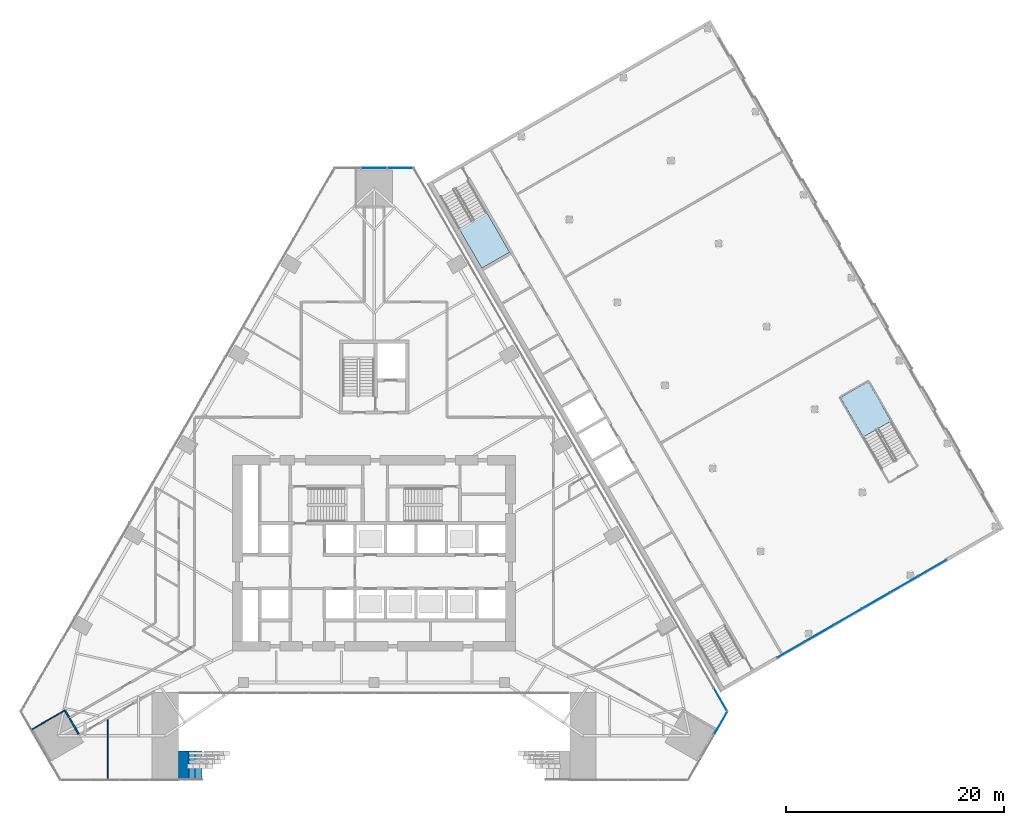
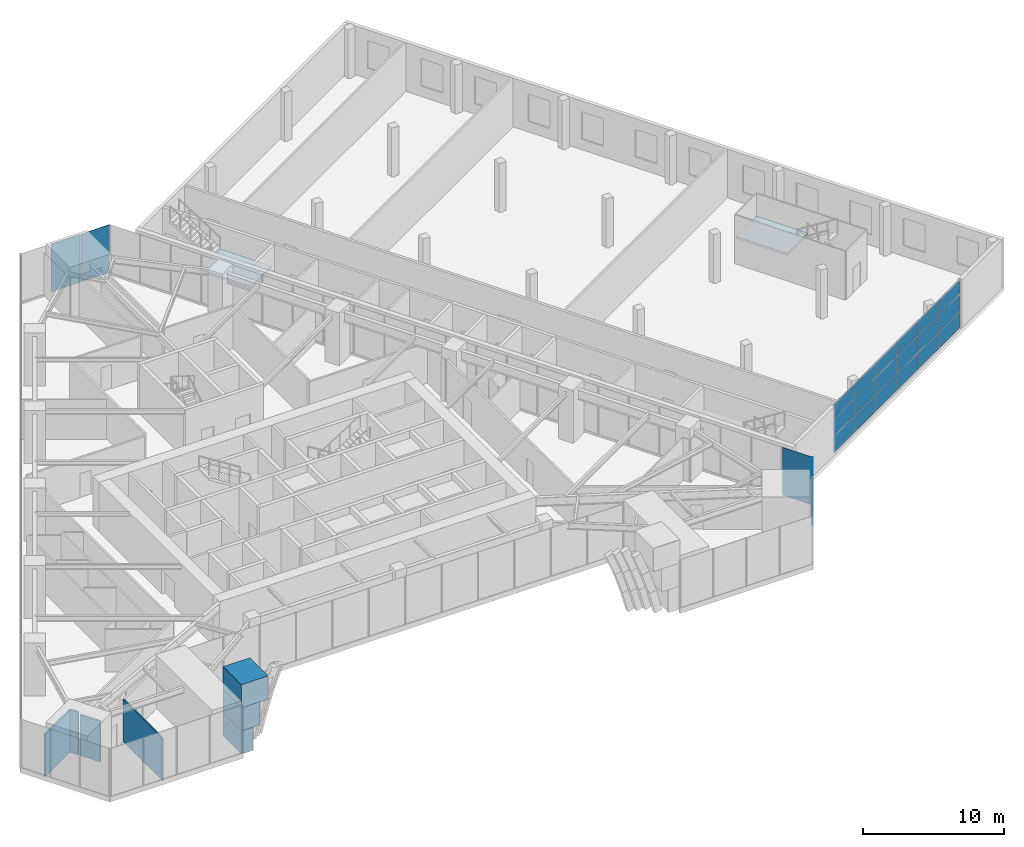
# One storey, part 16 of 29: 22 plates, 7 walls, 2 slabs, 6 elements without a shape of their own.
"""IFC4 building model written with IfcOpenShell, lengths in metres."""

import ifcopenshell
import ifcopenshell.guid

model = None  # the IFC model being written
_history = None  # IfcOwnerHistory: only IFC2X3 demands one
_inside = {}  # id of a spatial element -> (the spatial element, [elements in it])
_under = {}  # id of a project, library or spatial element -> (it, [spatial elements below it])
_declared = {}  # id of a project -> (the project, [libraries it declares])
_typed = {}  # id of a type object -> (the type object, [elements of that type])
_made_of = {}  # id of a material, layer set ... -> (it, [elements and type objects made of it])


def new_model(schema):
    """Start an empty IFC model of exactly this schema.

    Asked for "IFC4X3", IfcOpenShell would pick the latest addendum, in which some entities
    have other attributes; the version numbers below select the first issue.
    IFC2X3 requires an IfcOwnerHistory on every rooted entity: one is made here for all.
    """
    global model, _history
    if schema == "IFC4X3":
        model = ifcopenshell.file(schema_version=(4, 3, 0, 0))
    else:
        model = ifcopenshell.file(schema=schema)
    _inside.clear()
    _under.clear()
    _declared.clear()
    _typed.clear()
    _made_of.clear()
    _history = None
    if model.schema == "IFC2X3":
        org = make("IfcOrganization", Name="unknown")
        user = make(
            "IfcPersonAndOrganization",
            ThePerson=make("IfcPerson", FamilyName="unknown"),
            TheOrganization=org,
        )
        app = make(
            "IfcApplication",
            ApplicationDeveloper=org,
            Version="unknown",
            ApplicationFullName="unknown",
            ApplicationIdentifier="unknown",
        )
        _history = make(
            "IfcOwnerHistory",
            OwningUser=user,
            OwningApplication=app,
            ChangeAction="ADDED",
            CreationDate=0,
        )
    return model


def make(cls, **values):
    """One entity of the class cls with the attributes given. An attribute that is None is left unset."""
    return model.create_entity(
        cls, **{name: value for name, value in values.items() if value is not None}
    )


def rooted(cls, **values):
    """An entity with a GlobalId (a new one), such as an element, a storey or a relation."""
    return make(cls, GlobalId=ifcopenshell.guid.new(), OwnerHistory=_history, **values)


def si_unit(unit_type, name, prefix=None):
    """IfcSIUnit, for example si_unit("LENGTHUNIT", "METRE", prefix="MILLI")."""
    return make("IfcSIUnit", UnitType=unit_type, Prefix=prefix, Name=name)


def assignment(units):
    """IfcUnitAssignment: the units of a project."""
    return None if units is None else make("IfcUnitAssignment", Units=units)


def point(xyz):
    """IfcCartesianPoint."""
    return None if xyz is None else make("IfcCartesianPoint", Coordinates=xyz)


def direction(xyz):
    """IfcDirection."""
    return None if xyz is None else make("IfcDirection", DirectionRatios=xyz)


def frame(location, z_axis=None, x_axis=None):
    """IfcAxis2Placement3D, a coordinate frame: its origin and axes. An axis left out is left unset."""
    return make(
        "IfcAxis2Placement3D",
        Location=point(location),
        Axis=direction(z_axis),
        RefDirection=direction(x_axis),
    )


def frame_2d(location, x_axis=None):
    """IfcAxis2Placement2D, a coordinate frame in the plane: its origin and x axis."""
    return make(
        "IfcAxis2Placement2D", Location=point(location), RefDirection=direction(x_axis)
    )


def origin():
    """The frame at (0, 0, 0) with its axes left unset."""
    return frame((0.0, 0.0, 0.0))


def origin_2d():
    """The frame at (0, 0) in the plane with its x axis left unset."""
    return frame_2d((0.0, 0.0))


def place(relative_to, where):
    """IfcLocalPlacement: puts the frame where relative to a parent placement (None: the world)."""
    return make(
        "IfcLocalPlacement", PlacementRelTo=relative_to, RelativePlacement=where
    )


def context(
    kind, dimensions, precision=None, world=None, true_north=None, identifier=None
):
    """IfcGeometricRepresentationContext, for example the 3D "Model" context."""
    return make(
        "IfcGeometricRepresentationContext",
        ContextIdentifier=identifier,
        ContextType=kind,
        CoordinateSpaceDimension=dimensions,
        Precision=precision,
        WorldCoordinateSystem=world,
        TrueNorth=true_north,
    )


def subcontext(parent, identifier, kind, view, scale=None):
    """IfcGeometricRepresentationSubContext, for example "Body" below "Model"."""
    return make(
        "IfcGeometricRepresentationSubContext",
        ContextIdentifier=identifier,
        ContextType=kind,
        ParentContext=parent,
        TargetScale=scale,
        TargetView=view,
    )


def project(units=None, contexts=None):
    """IfcProject with its units and contexts."""
    return rooted(
        "IfcProject",
        Name="project",
        RepresentationContexts=contexts,
        UnitsInContext=assignment(units),
    )


def spatial(cls, under=None, at=None, **own):
    """A site, building, storey or space (cls), placed at a placement, below another one or the project."""
    s = rooted(cls, ObjectPlacement=at, **own)
    if under is not None:
        _under.setdefault(under.id(), (under, []))[1].append(s)
    return s


def polyline(points):
    """IfcPolyline through the points."""
    return make("IfcPolyline", Points=[point(p) for p in points])


def profile(cls, at=None, kind="AREA", **sizes):
    """A parametric profile (cls). Its sizes go by their IFC names, for example OverallWidth=200.0."""
    return make(cls, ProfileType=kind, Position=at, **sizes)


def rectangle(**sizes):
    """IfcRectangleProfileDef."""
    return profile("IfcRectangleProfileDef", **sizes)


def outline(outer, holes=None, kind="AREA"):
    """IfcArbitraryClosedProfileDef: a profile drawn as a closed curve; with holes, ...WithVoids."""
    if holes is None:
        return make("IfcArbitraryClosedProfileDef", ProfileType=kind, OuterCurve=outer)
    return make(
        "IfcArbitraryProfileDefWithVoids",
        ProfileType=kind,
        OuterCurve=outer,
        InnerCurves=holes,
    )


def extrude(swept, where, along, depth):
    """IfcExtrudedAreaSolid: the profile swept, set in the frame where, extruded along a direction by depth."""
    return make(
        "IfcExtrudedAreaSolid",
        SweptArea=swept,
        Position=where,
        ExtrudedDirection=direction(along),
        Depth=depth,
    )


def shape(context_of_items, identifier, shape_type, items):
    """IfcShapeRepresentation: the items that make up one representation, for example the "Body"."""
    return make(
        "IfcShapeRepresentation",
        ContextOfItems=context_of_items,
        RepresentationIdentifier=identifier,
        RepresentationType=shape_type,
        Items=items,
    )


def material(Name=None, Category=None):
    """IfcMaterial."""
    return make("IfcMaterial", Name=Name, Category=Category)


def layer(
    of_material, thickness, ventilated=None, Name=None, Category=None, Priority=None
):
    """IfcMaterialLayer: one layer of a wall or slab, of a material (None: an air gap)."""
    return make(
        "IfcMaterialLayer",
        Material=of_material,
        LayerThickness=thickness,
        IsVentilated=ventilated,
        Name=Name,
        Category=Category,
        Priority=Priority,
    )


def layer_set(layers, Name=None):
    """IfcMaterialLayerSet."""
    return make("IfcMaterialLayerSet", MaterialLayers=layers, LayerSetName=Name)


def made_of(thing, what):
    """Note that an element or type object is made of a material, layer set ...; save() writes the relation."""
    if what is not None:
        _made_of.setdefault(what.id(), (what, []))[1].append(thing)
    return thing


def type_object(cls, material=None, **own):
    """A type object (cls), such as IfcWallType, which elements share."""
    return made_of(rooted(cls, **own), material)


def element(
    cls,
    number,
    at=None,
    inside=None,
    cuts=None,
    type_object=None,
    material=None,
    context=None,
    identifier="Body",
    shape_type=None,
    held_by="IfcProductDefinitionShape",
    body=None,
    shapes=None,
    **own,
):
    """One element of the class cls, such as IfcWall. Its Tag is "e" and its number.

    at: its placement. inside: the storey or other place that contains it. cuts: it is an
    opening in that element (IfcRelVoidsElement). A single representation is given by context,
    identifier, shape_type and body (its items); several are given by shapes. held_by: the class
    of the entity that holds the representations. save() writes the other relations.
    """
    e = rooted(cls, Tag="e%d" % number, ObjectPlacement=at, **own)
    if body is not None:
        shapes = [shape(context, identifier, shape_type, body)]
    if shapes is not None:
        e.Representation = make(held_by, Representations=shapes)
    if inside is not None:
        _inside.setdefault(inside.id(), (inside, []))[1].append(e)
    if cuts is not None:
        rooted(
            "IfcRelVoidsElement", RelatingBuildingElement=cuts, RelatedOpeningElement=e
        )
    if type_object is not None:
        _typed.setdefault(type_object.id(), (type_object, []))[1].append(e)
    return made_of(e, material)


def aggregate(whole, parts):
    """IfcRelAggregates: a whole, such as a stair, and the parts it consists of."""
    return rooted("IfcRelAggregates", RelatingObject=whole, RelatedObjects=parts)


def save(model, path):
    """Write the relations noted so far, then the file.

    IfcRelAggregates (storeys below a building ...), IfcRelContainedInSpatialStructure (elements
    in a storey), IfcRelDefinesByType, IfcRelAssociatesMaterial and IfcRelDeclares: one each for
    every whole, place, type object, material and project.
    """
    for whole, parts in _under.values():
        aggregate(whole, parts)
    for where, things in _inside.values():
        rooted(
            "IfcRelContainedInSpatialStructure",
            RelatedElements=things,
            RelatingStructure=where,
        )
    for kind, things in _typed.values():
        rooted("IfcRelDefinesByType", RelatedObjects=things, RelatingType=kind)
    for what, things in _made_of.values():
        rooted("IfcRelAssociatesMaterial", RelatedObjects=things, RelatingMaterial=what)
    for by, libraries in _declared.values():
        rooted("IfcRelDeclares", RelatingContext=by, RelatedDefinitions=libraries)
    model.write(path)


model = new_model("IFC4")

# Units and contexts
model_context = context("Model", 3, precision=1e-05, world=origin(), true_north=direction((0.0, 1.0)))
body_context = subcontext(model_context, "Body", "Model", "MODEL_VIEW")
ifc_project = project(units=[si_unit("LENGTHUNIT", "METRE"), si_unit("AREAUNIT", "SQUARE_METRE"), si_unit("VOLUMEUNIT", "CUBIC_METRE"), si_unit("PLANEANGLEUNIT", "RADIAN"), si_unit("MASSUNIT", "GRAM", prefix="KILO")], contexts=[model_context])

# Site, building, storey
site_placement = place(None, origin())
site = spatial("IfcSite", under=ifc_project, at=site_placement, CompositionType="ELEMENT")
building_placement = place(site_placement, origin())
building = spatial("IfcBuilding", under=site, at=building_placement, Name="Firuza Gate Tower and Library", CompositionType="ELEMENT")
storey_placement = place(building_placement, frame((0.0, 0.0, 8.0)))
storey = spatial("IfcBuildingStorey", under=building, at=storey_placement, Name="L01", CompositionType="ELEMENT", Elevation=8.0)

# Curtain wall, plate
ifc_material_1 = material(Name="Aluminium 6063-T6", Category="aluminium")
ifc_layer_1 = layer(ifc_material_1, 0.14990234375)
ifc_layer_set_1 = layer_set([ifc_layer_1], Name="Stick curtain wall, podium")
curtain_wall_type_1 = type_object("IfcCurtainWallType", Name="Stick curtain wall, podium", PredefinedType="NOTDEFINED", material=ifc_layer_set_1)
placement_1 = place(storey_placement, origin())
curtain_wall_1 = element("IfcCurtainWall", 1, at=placement_1, inside=storey, type_object=curtain_wall_type_1, Name="CW5 L01 SE", PredefinedType="NOTDEFINED")
ifc_material_2 = material(Name="Fritted glass", Category="glass")
ifc_layer_2 = layer(ifc_material_2, 0.030029296875)
ifc_layer_set_2 = layer_set([ifc_layer_2], Name="Clear glass unit, podium")
plate_type_1 = type_object("IfcPlateType", Name="Clear glass unit, podium", PredefinedType="CURTAIN_PANEL", material=ifc_layer_set_2)
plate_1_placement = place(storey_placement, frame((106.30517578125, 58.37451171875, 0.14990234375), z_axis=(0.866047116916, -0.499962389866, 0.0), x_axis=(0.499962389866, 0.866047116916, 0.0)))
plate_1 = element("IfcPlate", 2, at=plate_1_placement, type_object=plate_type_1, Name="Glass unit", PredefinedType="CURTAIN_PANEL", context=body_context, shape_type="SweptSolid", body=[
    extrude(outline(polyline([(0.0, 0.0), (2.3488094905771977, 0.0), (2.3488094905771977, 4.150146484375001), (0.0, 4.150146484375001), (0.0, 0.0)])), origin(), (0.0, 0.0, -1.0), 0.030029296875),
])
aggregate(curtain_wall_1, [plate_1])

curtain_wall_2 = element("IfcCurtainWall", 3, at=placement_1, inside=storey, type_object=curtain_wall_type_1, Name="CW5 L01 E", PredefinedType="NOTDEFINED")
plate_2_placement = place(storey_placement, frame((107.4794921875, 60.492919921875, 0.14990234375), z_axis=(0.866056658381, 0.499945861543, 0.0), x_axis=(-0.499945861543, 0.866056658381, 0.0)))
plate_2 = element("IfcPlate", 4, at=plate_2_placement, type_object=plate_type_1, Name="Glass unit", PredefinedType="CURTAIN_PANEL", context=body_context, shape_type="SweptSolid", body=[
    extrude(outline(polyline([(0.0, 0.0), (2.4279972710515545, 0.0), (2.4279972710515545, 4.150146484375), (0.0, 4.150146484375), (0.0, 0.0)])), origin(), (0.0, 0.0, -1.0), 0.030029296875),
])
aggregate(curtain_wall_2, [plate_2])

# Curtain wall, plates
curtain_wall_3 = element("IfcCurtainWall", 5, at=placement_1, inside=storey, type_object=curtain_wall_type_1, Name="CW5 L01 N", PredefinedType="NOTDEFINED")
plate_3_placement = place(storey_placement, frame((78.603271484375, 110.423828125, 0.14990234375), z_axis=(0.0, 1.0, 0.0), x_axis=(-1.0, 0.0, 0.0)))
plate_3 = element("IfcPlate", 6, at=plate_3_placement, type_object=plate_type_1, Name="Glass unit", PredefinedType="CURTAIN_PANEL", context=body_context, shape_type="SweptSolid", body=[
    extrude(outline(polyline([(0.0, 0.0), (2.348876953125, 0.0), (2.348876953125, 4.150146484375), (0.0, 4.150146484375), (0.0, 0.0)])), origin(), (0.0, 0.0, -1.0), 0.030029296875),
])
plate_4_placement = place(storey_placement, frame((76.17431640625, 110.423828125, 0.14990234375), z_axis=(0.0, 1.0, 0.0), x_axis=(-1.0, 0.0, 0.0)))
plate_4 = element("IfcPlate", 7, at=plate_4_placement, type_object=plate_type_1, Name="Glass unit", PredefinedType="CURTAIN_PANEL", context=body_context, shape_type="SweptSolid", body=[
    extrude(outline(polyline([(0.0, 0.0), (2.3486328125, 0.0), (2.3486328125, 4.150146484375), (0.0, 4.150146484375), (0.0, 0.0)])), origin(), (0.0, 0.0, -1.0), 0.030029296875),
])
aggregate(curtain_wall_3, [plate_3, plate_4])

ifc_material_3 = material(Name="Aluminium", Category="aluminium")
curtain_wall_type_2 = type_object("IfcCurtainWallType", Name="LIB CURTAIN WALL", PredefinedType="NOTDEFINED", material=ifc_material_3)
curtain_wall_4 = element("IfcCurtainWall", 8, at=placement_1, inside=storey, type_object=curtain_wall_type_2, Name="L01 south curtain wall", PredefinedType="NOTDEFINED")
ifc_material_4 = material(Name="Ceramic-fritted glass", Category="glass")
ifc_layer_3 = layer(ifc_material_4, 0.028076171875)
ifc_layer_set_3 = layer_set([ifc_layer_3], Name="LIB CW PANEL 28")
plate_type_2 = type_object("IfcPlateType", Name="LIB CW PANEL 28", PredefinedType="CURTAIN_PANEL", material=ifc_layer_set_3)
plate_5_placement = place(storey_placement, frame((113.3662109375, 66.14697265625, 0.06005859375), z_axis=(0.0, 0.0, 1.0), x_axis=(0.866024608393, 0.500001377656, 0.0)))
plate_5 = element("IfcPlate", 9, at=plate_5_placement, type_object=plate_type_2, Name="LIB-CW panel 1.1", PredefinedType="CURTAIN_PANEL", context=body_context, shape_type="SweptSolid", body=[
    extrude(rectangle(XDim=2.909912109375, YDim=0.028076171875, at=origin_2d()), origin(), (0.0, 0.0, 1.0), 1.409912109375),
])
plate_6_placement = place(storey_placement, frame((113.3662109375, 66.14697265625, 1.530029296875), z_axis=(0.0, 0.0, 1.0), x_axis=(0.866024608393, 0.500001377656, 0.0)))
plate_6 = element("IfcPlate", 10, at=plate_6_placement, type_object=plate_type_2, Name="LIB-CW panel 1.2", PredefinedType="CURTAIN_PANEL", context=body_context, shape_type="SweptSolid", body=[
    extrude(rectangle(XDim=2.909912109375, YDim=0.028076171875, at=origin_2d()), origin(), (0.0, 0.0, 1.0), 1.43994140625),
])
plate_7_placement = place(storey_placement, frame((113.3662109375, 66.14697265625, 3.030029296875), z_axis=(0.0, 0.0, 1.0), x_axis=(0.866024608393, 0.500001377656, 0.0)))
plate_7 = element("IfcPlate", 11, at=plate_7_placement, type_object=plate_type_2, Name="LIB-CW panel 1.3", PredefinedType="CURTAIN_PANEL", context=body_context, shape_type="SweptSolid", body=[
    extrude(rectangle(XDim=2.909912109375, YDim=0.028076171875, at=origin_2d()), origin(), (0.0, 0.0, 1.0), 1.14990234375),
])
plate_8_placement = place(storey_placement, frame((115.951416015625, 67.639404296875, 0.06005859375), z_axis=(0.0, 0.0, 1.0), x_axis=(0.866024608393, 0.500001377656, 0.0)))
plate_8 = element("IfcPlate", 12, at=plate_8_placement, type_object=plate_type_2, Name="LIB-CW panel 2.1", PredefinedType="CURTAIN_PANEL", context=body_context, shape_type="SweptSolid", body=[
    extrude(rectangle(XDim=2.93994140625, YDim=0.028076171875, at=origin_2d()), origin(), (0.0, 0.0, 1.0), 1.409912109375),
])
plate_9_placement = place(storey_placement, frame((115.951416015625, 67.639404296875, 1.530029296875), z_axis=(0.0, 0.0, 1.0), x_axis=(0.866024608393, 0.500001377656, 0.0)))
plate_9 = element("IfcPlate", 13, at=plate_9_placement, type_object=plate_type_2, Name="LIB-CW panel 2.2", PredefinedType="CURTAIN_PANEL", context=body_context, shape_type="SweptSolid", body=[
    extrude(rectangle(XDim=2.93994140625, YDim=0.028076171875, at=origin_2d()), origin(), (0.0, 0.0, 1.0), 1.43994140625),
])
plate_10_placement = place(storey_placement, frame((115.951416015625, 67.639404296875, 3.030029296875), z_axis=(0.0, 0.0, 1.0), x_axis=(0.866024608393, 0.500001377656, 0.0)))
plate_10 = element("IfcPlate", 14, at=plate_10_placement, type_object=plate_type_2, Name="LIB-CW panel 2.3", PredefinedType="CURTAIN_PANEL", context=body_context, shape_type="SweptSolid", body=[
    extrude(rectangle(XDim=2.93994140625, YDim=0.028076171875, at=origin_2d()), origin(), (0.0, 0.0, 1.0), 1.14990234375),
])
plate_11_placement = place(storey_placement, frame((118.54931640625, 69.139404296875, 0.06005859375), z_axis=(0.0, 0.0, 1.0), x_axis=(0.866024608393, 0.500001377656, 0.0)))
plate_11 = element("IfcPlate", 15, at=plate_11_placement, type_object=plate_type_2, Name="LIB-CW panel 3.1", PredefinedType="CURTAIN_PANEL", context=body_context, shape_type="SweptSolid", body=[
    extrude(rectangle(XDim=2.93994140625, YDim=0.028076171875, at=origin_2d()), origin(), (0.0, 0.0, 1.0), 1.409912109375),
])
plate_12_placement = place(storey_placement, frame((118.54931640625, 69.139404296875, 1.530029296875), z_axis=(0.0, 0.0, 1.0), x_axis=(0.866024608393, 0.500001377656, 0.0)))
plate_12 = element("IfcPlate", 16, at=plate_12_placement, type_object=plate_type_2, Name="LIB-CW panel 3.2", PredefinedType="CURTAIN_PANEL", context=body_context, shape_type="SweptSolid", body=[
    extrude(rectangle(XDim=2.93994140625, YDim=0.028076171875, at=origin_2d()), origin(), (0.0, 0.0, 1.0), 1.43994140625),
])
plate_13_placement = place(storey_placement, frame((118.54931640625, 69.139404296875, 3.030029296875), z_axis=(0.0, 0.0, 1.0), x_axis=(0.866024608393, 0.500001377656, 0.0)))
plate_13 = element("IfcPlate", 17, at=plate_13_placement, type_object=plate_type_2, Name="LIB-CW panel 3.3", PredefinedType="CURTAIN_PANEL", context=body_context, shape_type="SweptSolid", body=[
    extrude(rectangle(XDim=2.93994140625, YDim=0.028076171875, at=origin_2d()), origin(), (0.0, 0.0, 1.0), 1.14990234375),
])
plate_14_placement = place(storey_placement, frame((121.1474609375, 70.639404296875, 0.06005859375), z_axis=(0.0, 0.0, 1.0), x_axis=(0.866024608393, 0.500001377656, 0.0)))
plate_14 = element("IfcPlate", 18, at=plate_14_placement, type_object=plate_type_2, Name="LIB-CW panel 4.1", PredefinedType="CURTAIN_PANEL", context=body_context, shape_type="SweptSolid", body=[
    extrude(rectangle(XDim=2.93994140625, YDim=0.028076171875, at=origin_2d()), origin(), (0.0, 0.0, 1.0), 1.409912109375),
])
plate_15_placement = place(storey_placement, frame((121.1474609375, 70.639404296875, 1.530029296875), z_axis=(0.0, 0.0, 1.0), x_axis=(0.866024608393, 0.500001377656, 0.0)))
plate_15 = element("IfcPlate", 19, at=plate_15_placement, type_object=plate_type_2, Name="LIB-CW panel 4.2", PredefinedType="CURTAIN_PANEL", context=body_context, shape_type="SweptSolid", body=[
    extrude(rectangle(XDim=2.93994140625, YDim=0.028076171875, at=origin_2d()), origin(), (0.0, 0.0, 1.0), 1.43994140625),
])
plate_16_placement = place(storey_placement, frame((121.1474609375, 70.639404296875, 3.030029296875), z_axis=(0.0, 0.0, 1.0), x_axis=(0.866024608393, 0.500001377656, 0.0)))
plate_16 = element("IfcPlate", 20, at=plate_16_placement, type_object=plate_type_2, Name="LIB-CW panel 4.3", PredefinedType="CURTAIN_PANEL", context=body_context, shape_type="SweptSolid", body=[
    extrude(rectangle(XDim=2.93994140625, YDim=0.028076171875, at=origin_2d()), origin(), (0.0, 0.0, 1.0), 1.14990234375),
])
plate_17_placement = place(storey_placement, frame((123.74560546875, 72.139404296875, 0.06005859375), z_axis=(0.0, 0.0, 1.0), x_axis=(0.866024608393, 0.500001377656, 0.0)))
plate_17 = element("IfcPlate", 21, at=plate_17_placement, type_object=plate_type_2, Name="LIB-CW panel 5.1", PredefinedType="CURTAIN_PANEL", context=body_context, shape_type="SweptSolid", body=[
    extrude(rectangle(XDim=2.93994140625, YDim=0.028076171875, at=origin_2d()), origin(), (0.0, 0.0, 1.0), 1.409912109375),
])
plate_18_placement = place(storey_placement, frame((123.74560546875, 72.139404296875, 1.530029296875), z_axis=(0.0, 0.0, 1.0), x_axis=(0.866024608393, 0.500001377656, 0.0)))
plate_18 = element("IfcPlate", 22, at=plate_18_placement, type_object=plate_type_2, Name="LIB-CW panel 5.2", PredefinedType="CURTAIN_PANEL", context=body_context, shape_type="SweptSolid", body=[
    extrude(rectangle(XDim=2.93994140625, YDim=0.028076171875, at=origin_2d()), origin(), (0.0, 0.0, 1.0), 1.43994140625),
])
plate_19_placement = place(storey_placement, frame((123.74560546875, 72.139404296875, 3.030029296875), z_axis=(0.0, 0.0, 1.0), x_axis=(0.866024608393, 0.500001377656, 0.0)))
plate_19 = element("IfcPlate", 23, at=plate_19_placement, type_object=plate_type_2, Name="LIB-CW panel 5.3", PredefinedType="CURTAIN_PANEL", context=body_context, shape_type="SweptSolid", body=[
    extrude(rectangle(XDim=2.93994140625, YDim=0.028076171875, at=origin_2d()), origin(), (0.0, 0.0, 1.0), 1.14990234375),
])
plate_20_placement = place(storey_placement, frame((126.33056640625, 73.632080078125, 0.06005859375), z_axis=(0.0, 0.0, 1.0), x_axis=(0.866024608393, 0.500001377656, 0.0)))
plate_20 = element("IfcPlate", 24, at=plate_20_placement, type_object=plate_type_2, Name="LIB-CW panel 6.1", PredefinedType="CURTAIN_PANEL", context=body_context, shape_type="SweptSolid", body=[
    extrude(rectangle(XDim=2.909912109375, YDim=0.028076171875, at=origin_2d()), origin(), (0.0, 0.0, 1.0), 1.409912109375),
])
plate_21_placement = place(storey_placement, frame((126.33056640625, 73.632080078125, 1.530029296875), z_axis=(0.0, 0.0, 1.0), x_axis=(0.866024608393, 0.500001377656, 0.0)))
plate_21 = element("IfcPlate", 25, at=plate_21_placement, type_object=plate_type_2, Name="LIB-CW panel 6.2", PredefinedType="CURTAIN_PANEL", context=body_context, shape_type="SweptSolid", body=[
    extrude(rectangle(XDim=2.909912109375, YDim=0.028076171875, at=origin_2d()), origin(), (0.0, 0.0, 1.0), 1.43994140625),
])
plate_22_placement = place(storey_placement, frame((126.33056640625, 73.632080078125, 3.030029296875), z_axis=(0.0, 0.0, 1.0), x_axis=(0.866024608393, 0.500001377656, 0.0)))
plate_22 = element("IfcPlate", 26, at=plate_22_placement, type_object=plate_type_2, Name="LIB-CW panel 6.3", PredefinedType="CURTAIN_PANEL", context=body_context, shape_type="SweptSolid", body=[
    extrude(rectangle(XDim=2.909912109375, YDim=0.028076171875, at=origin_2d()), origin(), (0.0, 0.0, 1.0), 1.14990234375),
])
aggregate(curtain_wall_4, [plate_5, plate_6, plate_7, plate_8, plate_9, plate_10, plate_11, plate_12, plate_13, plate_14, plate_15, plate_16, plate_17, plate_18, plate_19, plate_20, plate_21, plate_22])

# Stair, slab
ifc_material_5 = material(Name="Concrete C40/50", Category="concrete")
stair_type = type_object("IfcStairType", Name="LIB STAIR", PredefinedType="HALF_TURN_STAIR", material=ifc_material_5)
stair_1 = element("IfcStair", 27, at=placement_1, inside=storey, type_object=stair_type, Name="L01 Exit stair A", PredefinedType="HALF_TURN_STAIR")
ifc_material_6 = material(Name="Concrete C40/50", Category="concrete")
ifc_layer_4 = layer(ifc_material_6, 0.199951171875)
ifc_layer_set_4 = layer_set([ifc_layer_4], Name="LIB STAIR LANDING")
slab_type = type_object("IfcSlabType", Name="LIB STAIR LANDING", PredefinedType="LANDING", material=ifc_layer_set_4)
placement_2 = place(storey_placement, frame((0.0, 0.0, 2.10009765625)))
slab_1 = element("IfcSlab", 28, at=placement_2, type_object=slab_type, Name="LIB-ST-A landing 1", PredefinedType="LANDING", context=body_context, shape_type="SweptSolid", body=[
    extrude(outline(polyline([(82.80908203125, 104.84326171875), (84.909423828125, 101.20556640625), (87.464111328125, 102.6806640625), (85.364013671875, 106.318359375), (82.80908203125, 104.84326171875)])), origin(), (0.0, 0.0, 1.0), 0.199951171875),
])
aggregate(stair_1, [slab_1])

stair_2 = element("IfcStair", 29, at=placement_1, inside=storey, type_object=stair_type, Name="L01 Feature stair", PredefinedType="HALF_TURN_STAIR")
slab_2 = element("IfcSlab", 30, at=placement_2, type_object=slab_type, Name="LIB-ST-C landing 1", PredefinedType="LANDING", context=body_context, shape_type="SweptSolid", body=[
    extrude(outline(polyline([(122.526611328125, 87.150634765625), (120.426513671875, 90.788330078125), (117.87158203125, 89.3134765625), (119.971923828125, 85.675537109375), (122.526611328125, 87.150634765625)])), origin(), (0.0, 0.0, 1.0), 0.199951171875),
])
aggregate(stair_2, [slab_2])

# Walls
ifc_material_7 = material(Name="Gypsum board partition")
ifc_layer_5 = layer(ifc_material_7, 0.14990234375)
ifc_layer_set_5 = layer_set([ifc_layer_5], Name="Corridor wall 150 double board on steel studs")
wall_type_1 = type_object("IfcWallType", Name="Corridor wall 150 double board on steel studs", PredefinedType="PARTITIONING", material=ifc_layer_set_5)
wall_1_placement = place(storey_placement, frame((47.84326171875, 58.368896484375, 0.0), z_axis=(0.0, 0.0, 1.0), x_axis=(-0.499927431592, 0.866067297121, 0.0)))
element("IfcWall", 31, at=wall_1_placement, inside=storey, type_object=wall_type_1, Name="f:L01:w032", PredefinedType="PARTITIONING", context=body_context, shape_type="SweptSolid", body=[
    extrude(rectangle(XDim=1.649658203125, YDim=0.14990234375, at=frame_2d((0.82470703125, 0.0))), origin(), (0.0, 0.0, 1.0), 3.547119140625),
])
wall_2_placement = place(storey_placement, frame((46.943603515625, 59.927490234375, 0.0), z_axis=(0.0, 0.0, 1.0), x_axis=(-0.500265536072, 0.865872042174, 0.0)))
element("IfcWall", 32, at=wall_2_placement, inside=storey, type_object=wall_type_1, Name="f:L01:w041", PredefinedType="PARTITIONING", context=body_context, shape_type="SweptSolid", body=[
    extrude(rectangle(XDim=0.674560546875, YDim=0.14990234375, at=frame_2d((0.33740234375, 0.0))), origin(), (0.0, 0.0, 1.0), 3.699951171875),
])
ifc_material_8 = material(Name="Gypsum board partition")
ifc_layer_6 = layer(ifc_material_8, 0.10009765625)
ifc_layer_set_6 = layer_set([ifc_layer_6], Name="Partition 100 gypsum board on steel studs")
wall_type_2 = type_object("IfcWallType", Name="Partition 100 gypsum board on steel studs", PredefinedType="PARTITIONING", material=ifc_layer_set_6)
wall_3_placement = place(storey_placement, frame((43.498046875, 58.775390625, 0.0), z_axis=(0.0, 0.0, 1.0), x_axis=(0.866014251095, 0.500019316528, 0.0)))
element("IfcWall", 33, at=wall_3_placement, inside=storey, type_object=wall_type_2, Name="f:L01:w011", PredefinedType="PARTITIONING", context=body_context, shape_type="SweptSolid", body=[
    extrude(rectangle(XDim=3.559326171875, YDim=0.10009765625, at=frame_2d((1.77978515625, 0.0))), origin(), (0.0, 0.0, 1.0), 3.699951171875),
])
wall_4_placement = place(storey_placement, frame((50.52001953125, 54.1552734375, 0.0), z_axis=(0.0, 0.0, 1.0), x_axis=(0.0, 1.0, 0.0)))
element("IfcWall", 34, at=wall_4_placement, inside=storey, type_object=wall_type_2, Name="f:L01:w029", PredefinedType="PARTITIONING", context=body_context, shape_type="SweptSolid", body=[
    extrude(rectangle(XDim=5.555419921875, YDim=0.10009765625, at=frame_2d((2.77783203125, 0.0))), origin(), (0.0, 0.0, 1.0), 3.699951171875),
])
ifc_material_9 = material(Name="Concrete C60/75", Category="concrete")
ifc_layer_7 = layer(ifc_material_9, 2.60009765625)
ifc_layer_set_7 = layer_set([ifc_layer_7], Name="Portal wall 2600 C60/75")
wall_type_3 = type_object("IfcWallType", Name="Portal wall 2600 C60/75", PredefinedType="SOLIDWALL", material=ifc_layer_set_7)
wall_5_placement = place(storey_placement, frame((57.0, 55.515380859375, 0.0), z_axis=(0.0, 0.0, 1.0), x_axis=(1.0, 0.0, 0.0)))
element("IfcWall", 35, at=wall_5_placement, inside=storey, type_object=wall_type_3, Name="Portal wall course 5", PredefinedType="SOLIDWALL", context=body_context, shape_type="SweptSolid", body=[
    extrude(rectangle(XDim=0.962890625, YDim=2.60009765625, at=frame_2d((0.4814453125, 0.0))), origin(), (0.0, 0.0, 1.0), 2.0),
])
wall_6_placement = place(storey_placement, frame((57.0, 55.515380859375, 2.0), z_axis=(0.0, 0.0, 1.0), x_axis=(1.0, 0.0, 0.0)))
element("IfcWall", 36, at=wall_6_placement, inside=storey, type_object=wall_type_3, Name="Portal wall course 6", PredefinedType="SOLIDWALL", context=body_context, shape_type="SweptSolid", body=[
    extrude(rectangle(XDim=1.5146484375, YDim=2.60009765625, at=frame_2d((0.75732421875, 0.0))), origin(), (0.0, 0.0, 1.0), 2.0),
])
wall_7_placement = place(storey_placement, frame((57.0, 55.515380859375, 4.0), z_axis=(0.0, 0.0, 1.0), x_axis=(1.0, 0.0, 0.0)))
element("IfcWall", 37, at=wall_7_placement, inside=storey, type_object=wall_type_3, Name="Portal wall course 7", PredefinedType="SOLIDWALL", context=body_context, shape_type="SweptSolid", body=[
    extrude(rectangle(XDim=2.201416015625, YDim=2.60009765625, at=frame_2d((1.1005859375, 0.0))), origin(), (0.0, 0.0, 1.0), 2.0),
])

save(model, "model.ifc")
